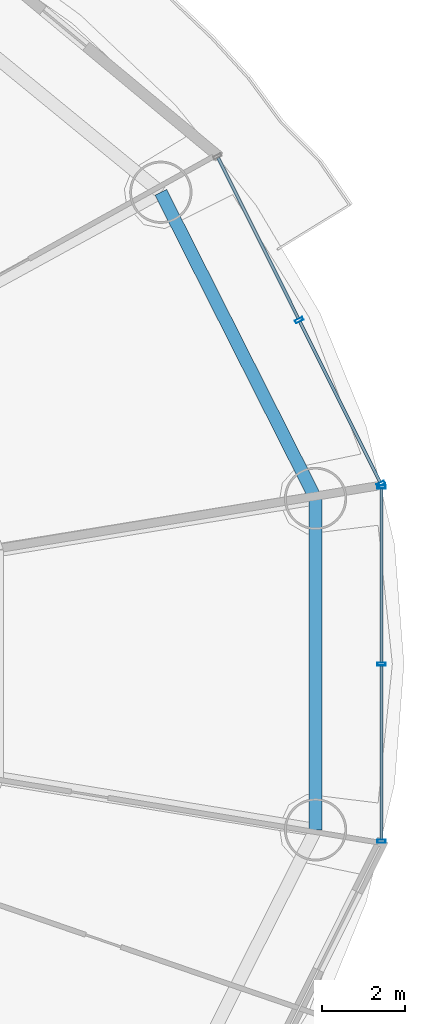
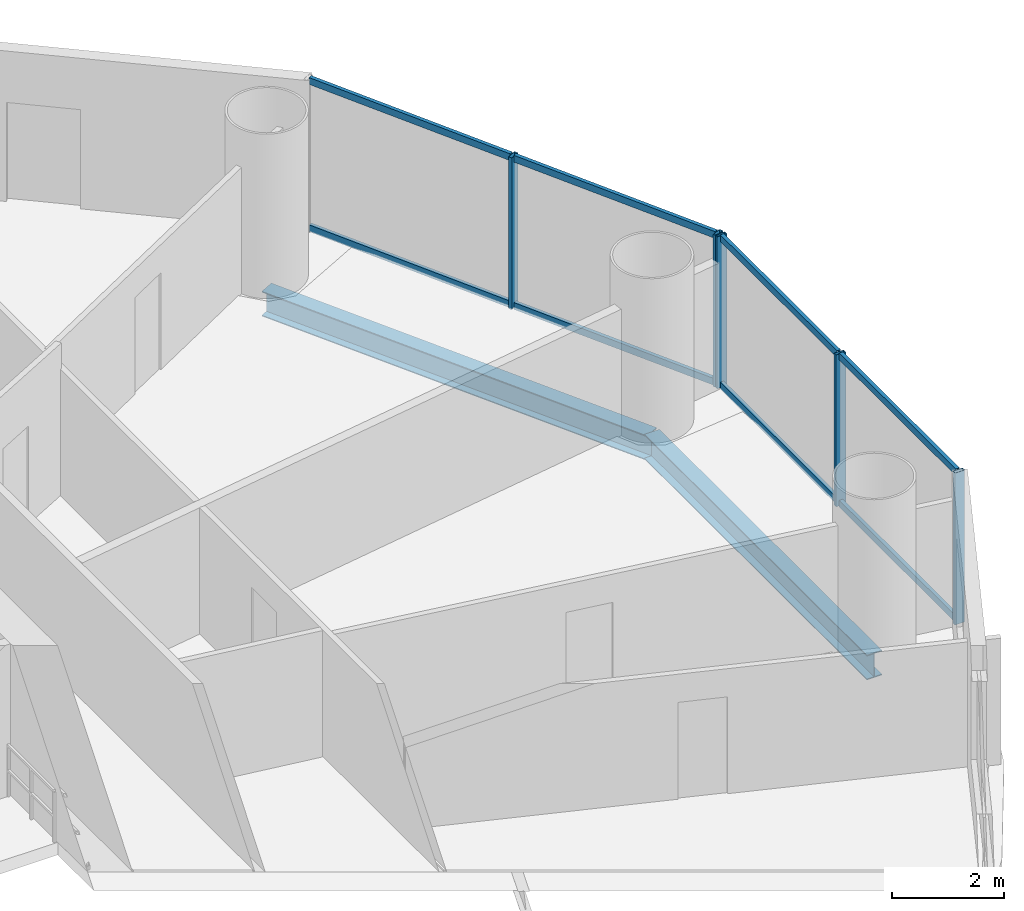
# One storey, part 14 of 28: 13 members, 2 beams, 2 elements without a shape of their own.
"""IFC4 building model written with IfcOpenShell, lengths in metres."""

from ifc_helpers import new_model, si_unit, direction, frame, origin, origin_2d, place, context, subcontext, project, spatial, hollow_rectangle, i_section, extrude, source, transform, mapped, material, material_profile, profile_set, type_object, element, aggregate, save


model = new_model("IFC4")

# Units and contexts
model_context = context("Model", 3, precision=1e-05, world=origin(), true_north=direction((-0.2419218956, 0.970295726276)))
body_context = subcontext(model_context, "Body", "Model", "MODEL_VIEW")
ifc_project = project(units=[si_unit("LENGTHUNIT", "METRE"), si_unit("AREAUNIT", "SQUARE_METRE"), si_unit("VOLUMEUNIT", "CUBIC_METRE"), si_unit("PLANEANGLEUNIT", "RADIAN"), si_unit("MASSUNIT", "GRAM", prefix="KILO")], contexts=[model_context])

# Site, building, storey
site_placement = place(None, origin())
site = spatial("IfcSite", under=ifc_project, at=site_placement, CompositionType="ELEMENT")
building_placement = place(site_placement, origin())
building = spatial("IfcBuilding", under=site, at=building_placement, Name="Cobrevalo Terracotta Tower", CompositionType="ELEMENT")
storey_placement = place(building_placement, frame((0.0, 0.0, 108.60009765625)))
storey = spatial("IfcBuildingStorey", under=building, at=storey_placement, Name="L28", CompositionType="ELEMENT", Elevation=108.60009765625)

# Beams
ifc_material_1 = material(Name="Steel S355", Category="steel")
ifc_material_profile_1 = material_profile(ifc_material_1, i_section(OverallWidth=0.31201171875, OverallDepth=0.54296875, WebThickness=0.0126953125, FlangeThickness=0.020263671875, at=origin_2d()), Name="W 530x150")
ifc_profile_set_1 = profile_set([ifc_material_profile_1], Name="Steel S355")
beam_type = type_object("IfcBeamType", Name="Structural Spandrel W 530x150 (Steel S355)", PredefinedType="SPANDREL", material=ifc_profile_set_1)
beam_1_placement = place(storey_placement, frame((62.470703125, 30.78955078125, -0.546630859375), z_axis=(-0.451051982172, 0.892497680321, 0.0), x_axis=(-0.892497680321, -0.451051982172, 0.0)))
element("IfcBeam", 1, at=beam_1_placement, inside=storey, type_object=beam_type, Name="L28 perimeter ring spandrel 01", PredefinedType="SPANDREL", context=body_context, shape_type="SweptSolid", body=[
    extrude(i_section(OverallWidth=0.31201171875, OverallDepth=0.54296875, WebThickness=0.0126953125, FlangeThickness=0.020263671875, at=origin_2d()), origin(), (0.0, 0.0, 1.0), 8.259765625),
])
beam_2_placement = place(storey_placement, frame((62.470703125, 22.810302734375, -0.546630859375), z_axis=(0.0, 1.0, 0.0), x_axis=(-1.0, 0.0, 0.0)))
element("IfcBeam", 2, at=beam_2_placement, inside=storey, type_object=beam_type, Name="L28 perimeter ring spandrel 16", PredefinedType="SPANDREL", context=body_context, shape_type="SweptSolid", body=[
    extrude(i_section(OverallWidth=0.31201171875, OverallDepth=0.54296875, WebThickness=0.0126953125, FlangeThickness=0.020263671875, at=origin_2d()), origin(), (0.0, 0.0, 1.0), 7.979248046875),
])

# Curtain wall, members
ifc_material_2 = material(Name="Anodized aluminium", Category="aluminium")
curtain_wall_type = type_object("IfcCurtainWallType", Name="Lower-tower unitised acoustic low-E curtain wall CW-U1", PredefinedType="NOTDEFINED", material=ifc_material_2)
curtain_wall_1_placement = place(storey_placement, origin())
curtain_wall_1 = element("IfcCurtainWall", 3, at=curtain_wall_1_placement, inside=storey, type_object=curtain_wall_type, Name="L28 curtain wall CW-L28-S16", PredefinedType="NOTDEFINED")
ifc_material_profile_2 = material_profile(ifc_material_2, hollow_rectangle(XDim=0.074951171875, YDim=0.14990234375, WallThickness=0.00439453125, at=origin_2d()), Name="CWT 75x150")
ifc_profile_set_2 = profile_set([ifc_material_profile_2], Name="Anodized aluminium")
member_type_1 = type_object("IfcMemberType", Name="Tower unitised aluminium transom 75x150", PredefinedType="USERDEFINED", material=ifc_profile_set_2)
shared_shape_1 = source(origin(), body_context, "Body", "SweptSolid", [
    extrude(hollow_rectangle(XDim=0.074951171875, YDim=0.14990234375, WallThickness=0.00439453125, at=origin_2d()), origin(), (0.0, 0.0, 1.0), 4.185546875),
])
member_1_placement = place(storey_placement, frame((64.0595703125, 22.574462890625, 0.0498046875), z_axis=(0.0, 1.0, 0.0), x_axis=(-1.0, 0.0, 0.0)))
member_1 = element("IfcMember", 4, at=member_1_placement, type_object=member_type_1, Name="CW-L28-S16 transom B01-T1", ObjectType="TRANSOM", PredefinedType="USERDEFINED", context=body_context, shape_type="MappedRepresentation", body=[
    mapped(shared_shape_1, transform((0.0, 0.0, 0.0), scale=1.0)),
])
member_2_placement = place(storey_placement, frame((64.0595703125, 22.574462890625, 3.27490234375), z_axis=(0.0, 1.0, 0.0), x_axis=(-1.0, 0.0, 0.0)))
member_2 = element("IfcMember", 5, at=member_2_placement, type_object=member_type_1, Name="CW-L28-S16 transom B01-T2", ObjectType="TRANSOM", PredefinedType="USERDEFINED", context=body_context, shape_type="MappedRepresentation", body=[
    mapped(shared_shape_1, transform((0.0, 0.0, 0.0), scale=1.0)),
])
member_3_placement = place(storey_placement, frame((64.0595703125, 26.840087890625, 0.0498046875), z_axis=(0.0, 1.0, 0.0), x_axis=(-1.0, 0.0, 0.0)))
member_3 = element("IfcMember", 6, at=member_3_placement, type_object=member_type_1, Name="CW-L28-S16 transom B02-T1", ObjectType="TRANSOM", PredefinedType="USERDEFINED", context=body_context, shape_type="MappedRepresentation", body=[
    mapped(shared_shape_1, transform((0.0, 0.0, 0.0), scale=1.0)),
])
member_4_placement = place(storey_placement, frame((64.0595703125, 26.840087890625, 3.27490234375), z_axis=(0.0, 1.0, 0.0), x_axis=(-1.0, 0.0, 0.0)))
member_4 = element("IfcMember", 7, at=member_4_placement, type_object=member_type_1, Name="CW-L28-S16 transom B02-T2", ObjectType="TRANSOM", PredefinedType="USERDEFINED", context=body_context, shape_type="MappedRepresentation", body=[
    mapped(shared_shape_1, transform((0.0, 0.0, 0.0), scale=1.0)),
])

curtain_wall_2_placement = place(storey_placement, origin())
curtain_wall_2 = element("IfcCurtainWall", 8, at=curtain_wall_2_placement, inside=storey, type_object=curtain_wall_type, Name="L28 curtain wall CW-L28-S01", PredefinedType="NOTDEFINED")
ifc_material_profile_3 = material_profile(ifc_material_2, hollow_rectangle(XDim=0.074951171875, YDim=0.199951171875, WallThickness=0.0048828125, at=origin_2d()), Name="CWM 75x200")
ifc_profile_set_3 = profile_set([ifc_material_profile_3], Name="Anodized aluminium")
member_type_2 = type_object("IfcMemberType", Name="Lower/mid tower unitised mullion 75x200", PredefinedType="MULLION", material=ifc_profile_set_3)
shared_shape_2 = source(origin(), body_context, "Body", "SweptSolid", [
    extrude(hollow_rectangle(XDim=0.074951171875, YDim=0.199951171875, WallThickness=0.0048828125, at=origin_2d()), origin(), (0.0, 0.0, 1.0), 3.324951171875),
])
member_5_placement = place(storey_placement, frame((64.04150390625, 31.141357421875, 0.0), z_axis=(0.0, 0.0, 1.0), x_axis=(-0.446260290227, 0.894903208937, 0.0)))
member_5 = element("IfcMember", 9, at=member_5_placement, type_object=member_type_2, Name="CW-L28-S01 vertical mullion 01", PredefinedType="MULLION", context=body_context, shape_type="MappedRepresentation", body=[
    mapped(shared_shape_2, transform((0.0, 0.0, 0.0), scale=1.0)),
])
member_6_placement = place(storey_placement, frame((62.075927734375, 35.08349609375, 0.0), z_axis=(0.0, 0.0, 1.0), x_axis=(-0.446260290227, 0.894903208937, 0.0)))
member_6 = element("IfcMember", 10, at=member_6_placement, type_object=member_type_2, Name="CW-L28-S01 vertical mullion 02", PredefinedType="MULLION", context=body_context, shape_type="MappedRepresentation", body=[
    mapped(shared_shape_2, transform((0.0, 0.0, 0.0), scale=1.0)),
])

# Member
member_7_placement = place(storey_placement, frame((64.0595703125, 22.534423828125, 0.0), z_axis=(0.0, 0.0, 1.0), x_axis=(0.0, 1.0, 0.0)))
member_7 = element("IfcMember", 11, at=member_7_placement, type_object=member_type_2, Name="CW-L28-S16 vertical mullion 01", PredefinedType="MULLION", context=body_context, shape_type="MappedRepresentation", body=[
    mapped(shared_shape_2, transform((0.0, 0.0, 0.0), scale=1.0)),
])

member_8_placement = place(storey_placement, frame((64.0595703125, 26.800048828125, 0.0), z_axis=(0.0, 0.0, 1.0), x_axis=(0.0, 1.0, 0.0)))
member_8 = element("IfcMember", 12, at=member_8_placement, type_object=member_type_2, Name="CW-L28-S16 vertical mullion 02", PredefinedType="MULLION", context=body_context, shape_type="MappedRepresentation", body=[
    mapped(shared_shape_2, transform((0.0, 0.0, 0.0), scale=1.0)),
])

member_9_placement = place(storey_placement, frame((64.0595703125, 31.065673828125, 0.0), z_axis=(0.0, 0.0, 1.0), x_axis=(0.0, 1.0, 0.0)))
member_9 = element("IfcMember", 13, at=member_9_placement, type_object=member_type_2, Name="CW-L28-S16 vertical mullion 03", PredefinedType="MULLION", context=body_context, shape_type="MappedRepresentation", body=[
    mapped(shared_shape_2, transform((0.0, 0.0, 0.0), scale=1.0)),
])

aggregate(curtain_wall_1, [member_7, member_8, member_9, member_1, member_2, member_3, member_4])

shared_shape_3 = source(origin(), body_context, "Body", "SweptSolid", [
    extrude(hollow_rectangle(XDim=0.074951171875, YDim=0.14990234375, WallThickness=0.00439453125, at=origin_2d()), origin(), (0.0, 0.0, 1.0), 4.324951171875),
])
member_10_placement = place(storey_placement, frame((64.023681640625, 31.17724609375, 0.0498046875), z_axis=(-0.446219838389, 0.894923379864, 0.0), x_axis=(-0.894923379864, -0.446219838389, 0.0)))
member_10 = element("IfcMember", 14, at=member_10_placement, type_object=member_type_1, Name="CW-L28-S01 transom B01-T1", ObjectType="TRANSOM", PredefinedType="USERDEFINED", context=body_context, shape_type="MappedRepresentation", body=[
    mapped(shared_shape_3, transform((0.0, 0.0, 0.0), scale=1.0)),
])

member_11_placement = place(storey_placement, frame((64.023681640625, 31.17724609375, 3.27490234375), z_axis=(-0.446219838389, 0.894923379864, 0.0), x_axis=(-0.894923379864, -0.446219838389, 0.0)))
member_11 = element("IfcMember", 15, at=member_11_placement, type_object=member_type_1, Name="CW-L28-S01 transom B01-T2", ObjectType="TRANSOM", PredefinedType="USERDEFINED", context=body_context, shape_type="MappedRepresentation", body=[
    mapped(shared_shape_3, transform((0.0, 0.0, 0.0), scale=1.0)),
])

member_12_placement = place(storey_placement, frame((62.057861328125, 35.119384765625, 0.0498046875), z_axis=(-0.44624238083, 0.894912139571, 0.0), x_axis=(-0.894912139571, -0.44624238083, 0.0)))
member_12 = element("IfcMember", 16, at=member_12_placement, type_object=member_type_1, Name="CW-L28-S01 transom B02-T1", ObjectType="TRANSOM", PredefinedType="USERDEFINED", context=body_context, shape_type="MappedRepresentation", body=[
    mapped(shared_shape_3, transform((0.0, 0.0, 0.0), scale=1.0)),
])

member_13_placement = place(storey_placement, frame((62.057861328125, 35.119384765625, 3.27490234375), z_axis=(-0.44624238083, 0.894912139571, 0.0), x_axis=(-0.894912139571, -0.44624238083, 0.0)))
member_13 = element("IfcMember", 17, at=member_13_placement, type_object=member_type_1, Name="CW-L28-S01 transom B02-T2", ObjectType="TRANSOM", PredefinedType="USERDEFINED", context=body_context, shape_type="MappedRepresentation", body=[
    mapped(shared_shape_3, transform((0.0, 0.0, 0.0), scale=1.0)),
])

aggregate(curtain_wall_2, [member_5, member_6, member_10, member_11, member_12, member_13])

save(model, "model.ifc")
